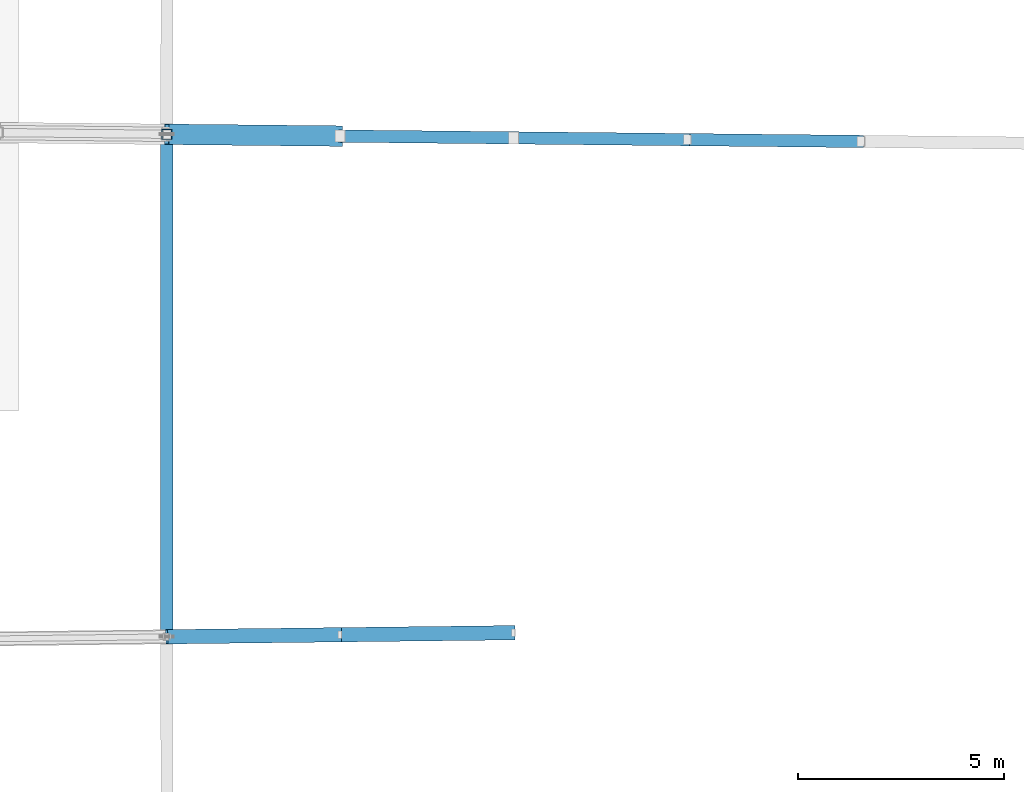
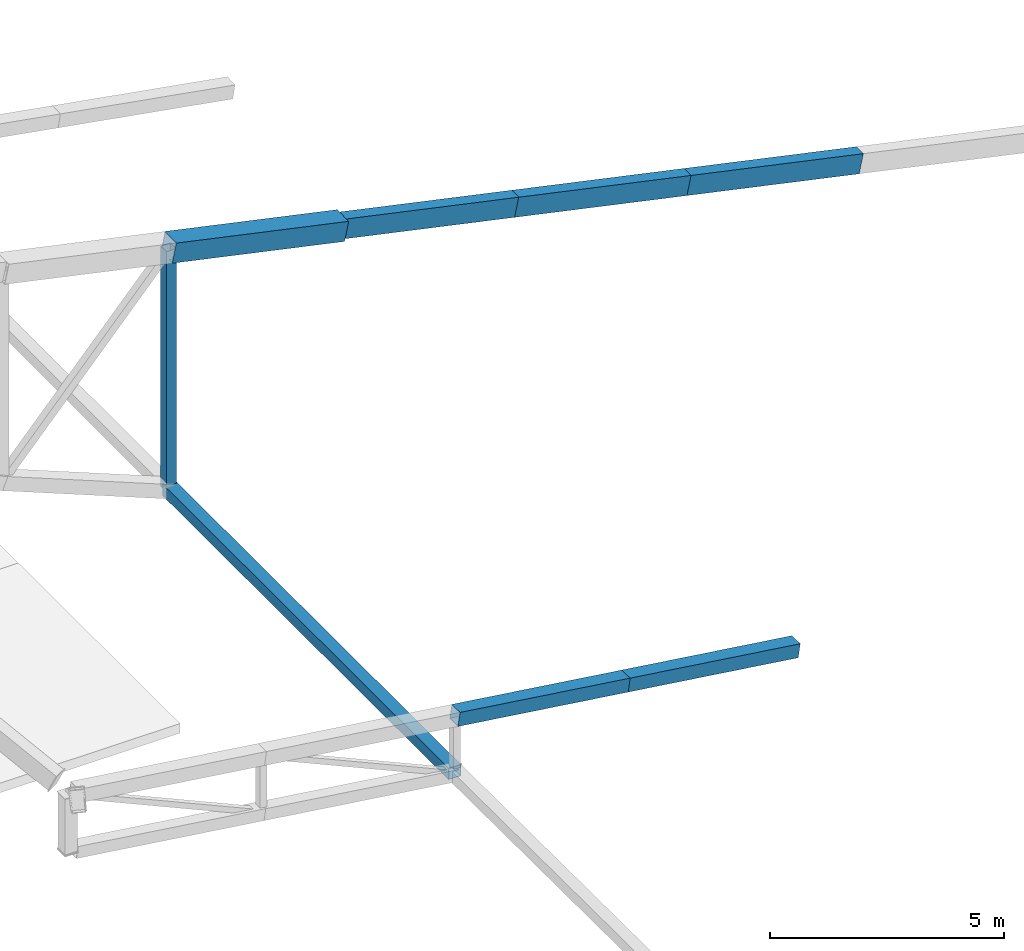
# One storey, part 37 of 188: 8 members.
"""IFC4 building model written with IfcOpenShell, lengths in metres."""

from ifc_helpers import new_model, si_unit, direction, frame, origin, origin_2d, place, context, subcontext, project, spatial, hollow_rectangle, extrude, material, material_profile, profile_set, type_object, element, save


model = new_model("IFC4")

# Units and contexts
model_context = context("Model", 3, precision=1e-05, world=origin(), true_north=direction((0.0, 1.0)))
body_context = subcontext(model_context, "Body", "Model", "MODEL_VIEW")
ifc_project = project(units=[si_unit("LENGTHUNIT", "METRE"), si_unit("AREAUNIT", "SQUARE_METRE"), si_unit("VOLUMEUNIT", "CUBIC_METRE"), si_unit("PLANEANGLEUNIT", "RADIAN"), si_unit("MASSUNIT", "GRAM", prefix="KILO")], contexts=[model_context])

# Site, building, storey
site_placement = place(None, origin())
site = spatial("IfcSite", under=ifc_project, at=site_placement, CompositionType="ELEMENT")
building_placement = place(site_placement, origin())
building = spatial("IfcBuilding", under=site, at=building_placement, Name="Meseta Stadium", CompositionType="ELEMENT")
storey_placement = place(building_placement, frame((0.0, 0.0, 30.0)))
storey = spatial("IfcBuildingStorey", under=building, at=storey_placement, Name="ROOF", CompositionType="ELEMENT", Elevation=30.0)

# Members
ifc_material_1 = material(Name="Steel S355", Category="steel")
ifc_material_profile_1 = material_profile(ifc_material_1, hollow_rectangle(XDim=0.300048828125, YDim=0.5, WallThickness=0.01611328125, at=origin_2d()), Name="RHS 500x300x16")
ifc_profile_set_1 = profile_set([ifc_material_profile_1], Name="Steel S355")
member_type_1 = type_object("IfcMemberType", Name="RHS 500x300x16 top chord", PredefinedType="CHORD", material=ifc_profile_set_1)
member_1_placement = place(storey_placement, frame((-68.109619140625, 5.90771484375, 3.52685546875), z_axis=(-0.978700824096, 0.010073945914, 0.205044415989), x_axis=(-0.010292636977, -0.999947029409, 0.0)))
element("IfcMember", 1, at=member_1_placement, inside=storey, type_object=member_type_1, Name="ROOF TRUSS RT-32 top chord", PredefinedType="CHORD", context=body_context, shape_type="SweptSolid", body=[
    extrude(hollow_rectangle(XDim=0.300048828125, YDim=0.5, WallThickness=0.01611328125, at=origin_2d()), origin(), (0.0, 0.0, 1.0), 4.313720703125),
])
member_2_placement = place(storey_placement, frame((-72.33154296875, 5.951171875, 4.411376953125), z_axis=(-0.978703209085, 0.010073387951, 0.205033059241), x_axis=(-0.010292041883, -0.999947035534, 0.0)))
element("IfcMember", 2, at=member_2_placement, inside=storey, type_object=member_type_1, Name="ROOF TRUSS RT-32 top chord", PredefinedType="CHORD", context=body_context, shape_type="SweptSolid", body=[
    extrude(hollow_rectangle(XDim=0.300048828125, YDim=0.5, WallThickness=0.01611328125, at=origin_2d()), origin(), (0.0, 0.0, 1.0), 4.31396484375),
])
member_3_placement = place(storey_placement, frame((-76.5537109375, 5.99462890625, 5.2958984375), z_axis=(-0.978700824096, 0.010073945914, 0.205044415989), x_axis=(-0.010292636977, -0.999947029409, 0.0)))
element("IfcMember", 3, at=member_3_placement, inside=storey, type_object=member_type_1, Name="ROOF TRUSS RT-32 top chord", PredefinedType="CHORD", context=body_context, shape_type="SweptSolid", body=[
    extrude(hollow_rectangle(XDim=0.300048828125, YDim=0.5, WallThickness=0.01611328125, at=origin_2d()), origin(), (0.0, 0.0, 1.0), 4.313720703125),
])
ifc_material_2 = material(Name="Steel S355", Category="steel")
ifc_material_profile_2 = material_profile(ifc_material_2, hollow_rectangle(XDim=0.25, YDim=0.25, WallThickness=0.010009765625, at=origin_2d()), Name="SHS 250x250x10")
ifc_profile_set_2 = profile_set([ifc_material_profile_2], Name="Steel S355")
member_type_2 = type_object("IfcMemberType", Name="SHS 250x250x10 post", PredefinedType="POST", material=ifc_profile_set_2)
member_4_placement = place(storey_placement, frame((-84.99755859375, 6.081298828125, 0.800048828125), z_axis=(0.0, 0.0, 1.0), x_axis=(1.0, 0.0, 0.0)))
element("IfcMember", 4, at=member_4_placement, inside=storey, type_object=member_type_2, Name="ROOF TRUSS RT-32 post", PredefinedType="POST", context=body_context, shape_type="SweptSolid", body=[
    extrude(hollow_rectangle(XDim=0.25, YDim=0.25, WallThickness=0.010009765625, at=origin_2d()), origin(), (0.0, 0.0, 1.0), 6.264892578125),
])
ifc_material_3 = material(Name="Steel S355", Category="steel")
ifc_material_profile_3 = material_profile(ifc_material_3, hollow_rectangle(XDim=0.300048828125, YDim=0.300048828125, WallThickness=0.010009765625, at=origin_2d()), Name="SHS 300x300x10")
ifc_profile_set_3 = profile_set([ifc_material_profile_3], Name="Steel S355")
member_type_3 = type_object("IfcMemberType", Name="SHS 300x300x10 pivot strut", PredefinedType="STRUT", material=ifc_profile_set_3)
member_5_placement = place(storey_placement, frame((-84.99755859375, 6.081298828125, 0.800048828125), z_axis=(3.9962435e-05, -0.999999999202, 0.0), x_axis=(0.999999999202, 3.9962435e-05, 0.0)))
element("IfcMember", 5, at=member_5_placement, inside=storey, type_object=member_type_3, Name="ROOF PIVOT STRUT RT-32/33", PredefinedType="STRUT", context=body_context, shape_type="SweptSolid", body=[
    extrude(hollow_rectangle(XDim=0.300048828125, YDim=0.300048828125, WallThickness=0.010009765625, at=origin_2d()), origin(), (0.0, 0.0, 1.0), 12.218505859375),
])
ifc_material_4 = material(Name="Steel S355", Category="steel")
ifc_material_profile_4 = material_profile(ifc_material_4, hollow_rectangle(XDim=0.35009765625, YDim=0.35009765625, WallThickness=0.010009765625, at=origin_2d()), Name="SHS 350x350x10")
ifc_profile_set_4 = profile_set([ifc_material_profile_4], Name="Steel S355")
member_type_4 = type_object("IfcMemberType", Name="SHS 350x350x10 top chord", PredefinedType="CHORD", material=ifc_profile_set_4)
for number, where, z_axis, x_axis, name in (
    (6, (-76.55322265625, -6.0380859375, 1.0517578125), (-0.989563195146, -0.011616337744, 0.143630579993), (0.011738045144, -0.999931106775, 0.0), "ROOF TRUSS RT-33 top chord"),
    (7, (-80.775146484375, -6.087646484375, 1.66455078125), (-0.989563195146, -0.011616337744, 0.143630579993), (0.011738045144, -0.999931106775, 0.0), "ROOF TRUSS RT-33 top chord"),
):
    element("IfcMember", number, at=place(storey_placement, frame(where, z_axis=z_axis, x_axis=x_axis)), inside=storey, type_object=member_type_4, Name=name, PredefinedType="CHORD", context=body_context, shape_type="SweptSolid", body=[
        extrude(hollow_rectangle(XDim=0.35009765625, YDim=0.35009765625, WallThickness=0.010009765625, at=origin_2d()), origin(), (0.0, 0.0, 1.0), 4.266357421875),
    ])
ifc_material_5 = material(Name="Steel S355", Category="steel")
ifc_material_profile_5 = material_profile(ifc_material_5, hollow_rectangle(XDim=0.5, YDim=0.5, WallThickness=0.01611328125, at=origin_2d()), Name="SHS 500x500x16")
ifc_profile_set_5 = profile_set([ifc_material_profile_5], Name="Steel S355")
member_type_5 = type_object("IfcMemberType", Name="SHS 500x500x16 top chord", PredefinedType="CHORD", material=ifc_profile_set_5)
member_6_placement = place(storey_placement, frame((-80.775634765625, 6.0380859375, 6.180419921875), z_axis=(-0.978701380522, 0.010017356407, 0.205044532564), x_axis=(-0.010234819248, -0.999947622866, 0.0)))
element("IfcMember", 8, at=member_6_placement, inside=storey, type_object=member_type_5, Name="ROOF TRUSS RT-32 top chord", PredefinedType="CHORD", context=body_context, shape_type="SweptSolid", body=[
    extrude(hollow_rectangle(XDim=0.5, YDim=0.5, WallThickness=0.01611328125, at=origin_2d()), origin(), (0.0, 0.0, 1.0), 4.313720703125),
])

save(model, "model.ifc")
